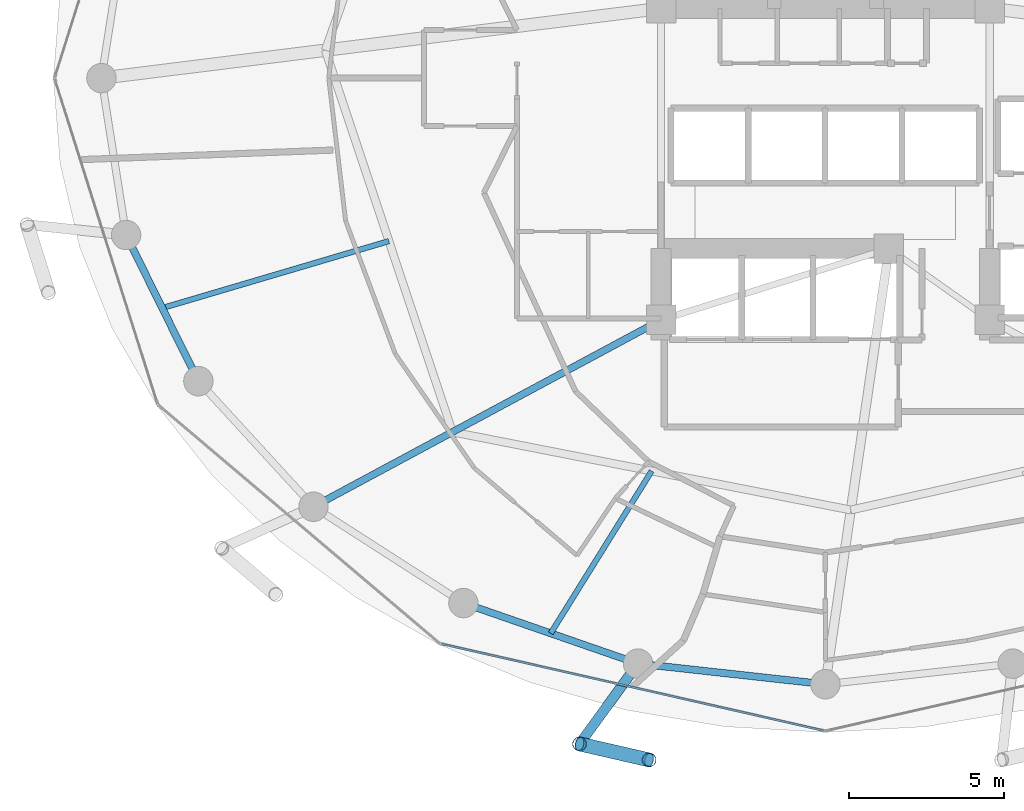
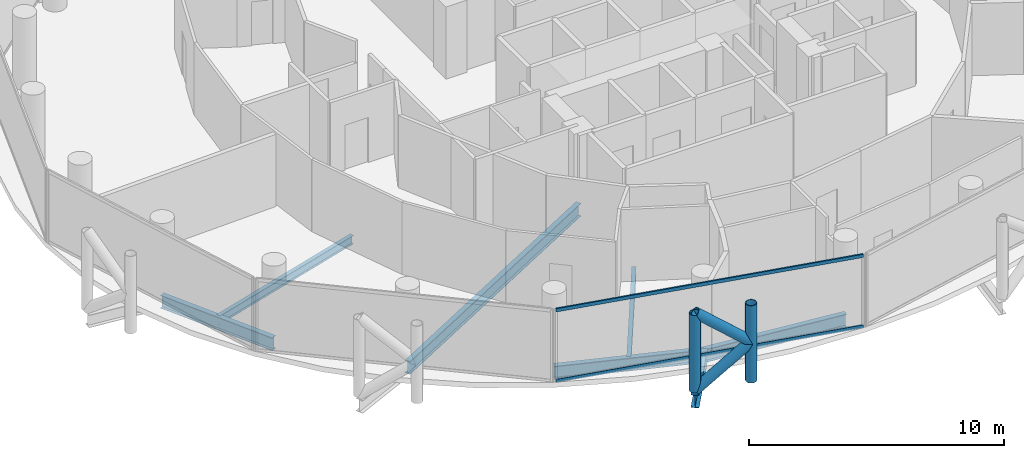
# One storey, part 3 of 26: 7 beams, 6 members, 1 element without a shape of its own.
"""IFC4 building model written with IfcOpenShell, lengths in metres."""

from ifc_helpers import new_model, si_unit, direction, frame, origin, origin_2d, place, context, subcontext, project, spatial, hollow_rectangle, hollow_circle, i_section, extrude, material, layer, layer_set, material_profile, profile_set, type_object, element, aggregate, save


model = new_model("IFC4")

# Units and contexts
model_context = context("Model", 3, precision=1e-05, world=origin(), true_north=direction((0.0, 1.0)))
body_context = subcontext(model_context, "Body", "Model", "MODEL_VIEW")
ifc_project = project(units=[si_unit("LENGTHUNIT", "METRE"), si_unit("AREAUNIT", "SQUARE_METRE"), si_unit("VOLUMEUNIT", "CUBIC_METRE"), si_unit("PLANEANGLEUNIT", "RADIAN"), si_unit("MASSUNIT", "GRAM", prefix="KILO")], contexts=[model_context])

# Site, building, storey
site_placement = place(None, origin())
site = spatial("IfcSite", under=ifc_project, at=site_placement, CompositionType="ELEMENT")
building_placement = place(site_placement, origin())
building = spatial("IfcBuilding", under=site, at=building_placement, Name="Nuhasar Tower", CompositionType="ELEMENT")
storey_placement = place(building_placement, frame((0.0, 0.0, 129.35009765625)))
storey = spatial("IfcBuildingStorey", under=building, at=storey_placement, Name="L30", CompositionType="ELEMENT", Elevation=129.35009765625)

# Beams
ifc_material_1 = material(Name="Steel S355", Category="steel")
ifc_material_profile_1 = material_profile(ifc_material_1, i_section(OverallWidth=0.177978515625, OverallDepth=0.406005859375, WebThickness=0.0078125, FlangeThickness=0.0126953125, at=origin_2d()), Name="W16X40")
ifc_profile_set_1 = profile_set([ifc_material_profile_1], Name="Steel S355")
beam_type_1 = type_object("IfcBeamType", Name="BM-JST-W16X40", PredefinedType="JOIST", material=ifc_profile_set_1)
beam_1_placement = place(storey_placement, frame((33.39697265625, 14.1279296875, -0.453125), z_axis=(-0.528139463011, -0.849157645912, 0.0), x_axis=(0.849157645912, -0.528139463011, 0.0)))
element("IfcBeam", 1, at=beam_1_placement, inside=storey, type_object=beam_type_1, Name="L30 Secondary Floor Joist 01", PredefinedType="JOIST", context=body_context, shape_type="SweptSolid", body=[
    extrude(i_section(OverallWidth=0.177978515625, OverallDepth=0.406005859375, WebThickness=0.0078125, FlangeThickness=0.0126953125, at=origin_2d()), origin(), (0.0, 0.0, 1.0), 6.164794921875),
])
beam_2_placement = place(storey_placement, frame((24.922119140625, 21.54296875, -0.453125), z_axis=(-0.959013356257, -0.283360869775, 0.0), x_axis=(0.283360869775, -0.959013356257, 0.0)))
element("IfcBeam", 2, at=beam_2_placement, inside=storey, type_object=beam_type_1, Name="L30 Secondary Floor Joist 08", PredefinedType="JOIST", context=body_context, shape_type="SweptSolid", body=[
    extrude(i_section(OverallWidth=0.177978515625, OverallDepth=0.406005859375, WebThickness=0.0078125, FlangeThickness=0.0126953125, at=origin_2d()), origin(), (0.0, 0.0, 1.0), 7.62255859375),
])
ifc_material_profile_2 = material_profile(ifc_material_1, i_section(OverallWidth=0.22900390625, OverallDepth=0.612060546875, WebThickness=0.011962890625, FlangeThickness=0.01953125, at=origin_2d()), Name="W24X84")
ifc_profile_set_2 = profile_set([ifc_material_profile_2], Name="Steel S355")
beam_type_2 = type_object("IfcBeamType", Name="BM-RAD-W24X84", PredefinedType="BEAM", material=ifc_profile_set_2)
beam_3_placement = place(storey_placement, frame((33.699951171875, 19.0, -0.55615234375), z_axis=(-0.880888386928, -0.473324043098, 0.0), x_axis=(0.473324043098, -0.880888386928, 0.0)))
element("IfcBeam", 3, at=beam_3_placement, inside=storey, type_object=beam_type_2, Name="L30 Radial Floor Girder 01", PredefinedType="BEAM", context=body_context, shape_type="SweptSolid", body=[
    extrude(i_section(OverallWidth=0.22900390625, OverallDepth=0.612060546875, WebThickness=0.011962890625, FlangeThickness=0.01953125, at=origin_2d()), origin(), (0.0, 0.0, 1.0), 12.726806640625),
])
ifc_material_profile_3 = material_profile(ifc_material_1, i_section(OverallWidth=0.22998046875, OverallDepth=0.616943359375, WebThickness=0.01318359375, FlangeThickness=0.022216796875, at=origin_2d()), Name="W24X94")
ifc_profile_set_3 = profile_set([ifc_material_profile_3], Name="Steel S355")
beam_type_3 = type_object("IfcBeamType", Name="BM-RING-W24X94", PredefinedType="SPANDREL", material=ifc_profile_set_3)
beam_4_placement = place(storey_placement, frame((16.446044921875, 21.739990234375, -0.55908203125), z_axis=(0.443329327657, -0.896358804966, 0.0), x_axis=(0.896358804966, 0.443329327657, 0.0)))
element("IfcBeam", 4, at=beam_4_placement, inside=storey, type_object=beam_type_3, Name="L30 Perimeter Ring Spandrel 14", PredefinedType="SPANDREL", context=body_context, shape_type="SweptSolid", body=[
    extrude(i_section(OverallWidth=0.22998046875, OverallDepth=0.616943359375, WebThickness=0.01318359375, FlangeThickness=0.022216796875, at=origin_2d()), origin(), (0.0, 0.0, 1.0), 5.26025390625),
])
beam_5_placement = place(storey_placement, frame((27.324951171875, 9.868896484375, -0.55908203125), z_axis=(0.944814057608, -0.327607076458, 0.0), x_axis=(0.327607076458, 0.944814057608, 0.0)))
element("IfcBeam", 5, at=beam_5_placement, inside=storey, type_object=beam_type_3, Name="L30 Perimeter Ring Spandrel 17", PredefinedType="SPANDREL", context=body_context, shape_type="SweptSolid", body=[
    extrude(i_section(OverallWidth=0.22998046875, OverallDepth=0.616943359375, WebThickness=0.01318359375, FlangeThickness=0.022216796875, at=origin_2d()), origin(), (0.0, 0.0, 1.0), 5.9609375),
])
beam_6_placement = place(storey_placement, frame((32.95703125, 7.916015625, -0.55908203125), z_axis=(0.993981289157, -0.109549974015, 0.0), x_axis=(0.109549974015, 0.993981289157, 0.0)))
element("IfcBeam", 6, at=beam_6_placement, inside=storey, type_object=beam_type_3, Name="L30 Perimeter Ring Spandrel 18", PredefinedType="SPANDREL", context=body_context, shape_type="SweptSolid", body=[
    extrude(i_section(OverallWidth=0.22998046875, OverallDepth=0.616943359375, WebThickness=0.01318359375, FlangeThickness=0.022216796875, at=origin_2d()), origin(), (0.0, 0.0, 1.0), 6.07958984375),
])
ifc_material_profile_4 = material_profile(ifc_material_1, i_section(OverallWidth=0.323974609375, OverallDepth=0.611083984375, WebThickness=0.0126953125, FlangeThickness=0.01904296875, at=origin_2d()), Name="W24X104")
ifc_profile_set_4 = profile_set([ifc_material_profile_4], Name="Steel S355")
beam_type_4 = type_object("IfcBeamType", Name="BM-TIE-W24X104", PredefinedType="BEAM", material=ifc_profile_set_4)
beam_7_placement = place(storey_placement, frame((32.95703125, 7.916015625, -0.55615234375), z_axis=(-0.588149050751, -0.808752554309, 0.0), x_axis=(0.808752554309, -0.588149050751, 0.0)))
element("IfcBeam", 7, at=beam_7_placement, inside=storey, type_object=beam_type_4, Name="L30 Exoskeleton Node Tie Beam 09", PredefinedType="BEAM", context=body_context, shape_type="SweptSolid", body=[
    extrude(i_section(OverallWidth=0.323974609375, OverallDepth=0.611083984375, WebThickness=0.0126953125, FlangeThickness=0.01904296875, at=origin_2d()), origin(), (0.0, 0.0, 1.0), 3.205078125),
])

# Curtain wall, members
ifc_material_2 = material(Name="Aluminium 6063-T6", Category="aluminium")
ifc_layer = layer(ifc_material_2, 0.199951171875)
ifc_layer_set = layer_set([ifc_layer], Name="Aluminium 6063-T6")
curtain_wall_type = type_object("IfcCurtainWallType", Name="CW-Z2-HTL", PredefinedType="NOTDEFINED", material=ifc_layer_set)
curtain_wall_placement = place(storey_placement, origin())
curtain_wall = element("IfcCurtainWall", 8, at=curtain_wall_placement, inside=storey, type_object=curtain_wall_type, Name="L30 Unitised Curtain Wall 09", PredefinedType="NOTDEFINED")
ifc_material_profile_5 = material_profile(ifc_material_2, hollow_rectangle(XDim=0.070068359375, YDim=0.159912109375, WallThickness=0.00439453125, at=origin_2d()), Name="CWT-3")
ifc_profile_set_5 = profile_set([ifc_material_profile_5], Name="Aluminium 6063-T6")
member_type_1 = type_object("IfcMemberType", Name="CW-TRN-S3", PredefinedType="USERDEFINED", material=ifc_profile_set_5)
member_1_placement = place(storey_placement, frame((26.63818359375, 8.54638671875, 0.034912109375), z_axis=(0.975187615691, -0.221380022142, 0.0), x_axis=(0.221380022142, 0.975187615691, 0.0)))
member_1 = element("IfcMember", 9, at=member_1_placement, type_object=member_type_1, Name="CW-Z2 transom 1.1", ObjectType="TRANSOM", PredefinedType="USERDEFINED", context=body_context, shape_type="SweptSolid", body=[
    extrude(hollow_rectangle(XDim=0.070068359375, YDim=0.159912109375, WallThickness=0.00439453125, at=origin_2d()), origin(), (0.0, 0.0, 1.0), 12.606201171875),
])
member_2_placement = place(storey_placement, frame((26.63818359375, 8.54638671875, 3.414794921875), z_axis=(0.975187615691, -0.221380022142, 0.0), x_axis=(0.221380022142, 0.975187615691, 0.0)))
member_2 = element("IfcMember", 10, at=member_2_placement, type_object=member_type_1, Name="CW-Z2 transom 1.2", ObjectType="TRANSOM", PredefinedType="USERDEFINED", context=body_context, shape_type="SweptSolid", body=[
    extrude(hollow_rectangle(XDim=0.070068359375, YDim=0.159912109375, WallThickness=0.00439453125, at=origin_2d()), origin(), (0.0, 0.0, 1.0), 12.606201171875),
])
aggregate(curtain_wall, [member_1, member_2])

# Members
ifc_material_3 = material(Name="Steel S460", Category="steel")
ifc_material_profile_6 = material_profile(ifc_material_3, hollow_circle(Radius=0.228515625, WallThickness=0.022216796875, at=origin_2d()), Name="HSS457X22.2")
ifc_profile_set_6 = profile_set([ifc_material_profile_6], Name="Steel S460")
member_type_2 = type_object("IfcMemberType", Name="EXO-BRONZE-457", PredefinedType="BRACE", material=ifc_profile_set_6)
for number, where, z_axis, x_axis, name in (
    (11, (31.072021484375, 5.323974609375, 0.0), (0.0, 0.0, 1.0), (1.0, 0.0, 0.0), "L30 Exoskeleton Chord Column EC-09A"),
    (12, (33.31396484375, 4.81005859375, 0.0), (0.0, 0.0, 1.0), (1.0, 0.0, 0.0), "L30 Exoskeleton Chord Column EC-09B"),
):
    element("IfcMember", number, at=place(storey_placement, frame(where, z_axis=z_axis, x_axis=x_axis)), inside=storey, type_object=member_type_2, Name=name, PredefinedType="BRACE", context=body_context, shape_type="SweptSolid", body=[
        extrude(hollow_circle(Radius=0.228515625, WallThickness=0.022216796875, at=origin_2d()), origin(), (0.0, 0.0, 1.0), 3.699951171875),
    ])
member_3_placement = place(storey_placement, frame((31.072021484375, 5.323974609375, 0.0), z_axis=(0.759549860492, -0.174110035537, 0.626713415327), x_axis=(0.223432882746, 0.974719316987, 0.0)))
element("IfcMember", 13, at=member_3_placement, inside=storey, type_object=member_type_2, Name="L30 Bronze Diagrid Brace W1-09", PredefinedType="BRACE", context=body_context, shape_type="SweptSolid", body=[
    extrude(hollow_circle(Radius=0.228515625, WallThickness=0.022216796875, at=origin_2d()), origin(), (0.0, 0.0, 1.0), 2.95166015625),
])
member_4_placement = place(storey_placement, frame((33.31396484375, 4.81005859375, 1.849853515625), z_axis=(-0.759510488094, 0.174101010284, 0.626763637022), x_axis=(-0.223432882746, -0.974719316987, 0.0)))
element("IfcMember", 14, at=member_4_placement, inside=storey, type_object=member_type_2, Name="L30 Bronze Diagrid Brace W2-09", PredefinedType="BRACE", context=body_context, shape_type="SweptSolid", body=[
    extrude(hollow_circle(Radius=0.228515625, WallThickness=0.022216796875, at=origin_2d()), origin(), (0.0, 0.0, 1.0), 2.951904296875),
])

save(model, "model.ifc")
